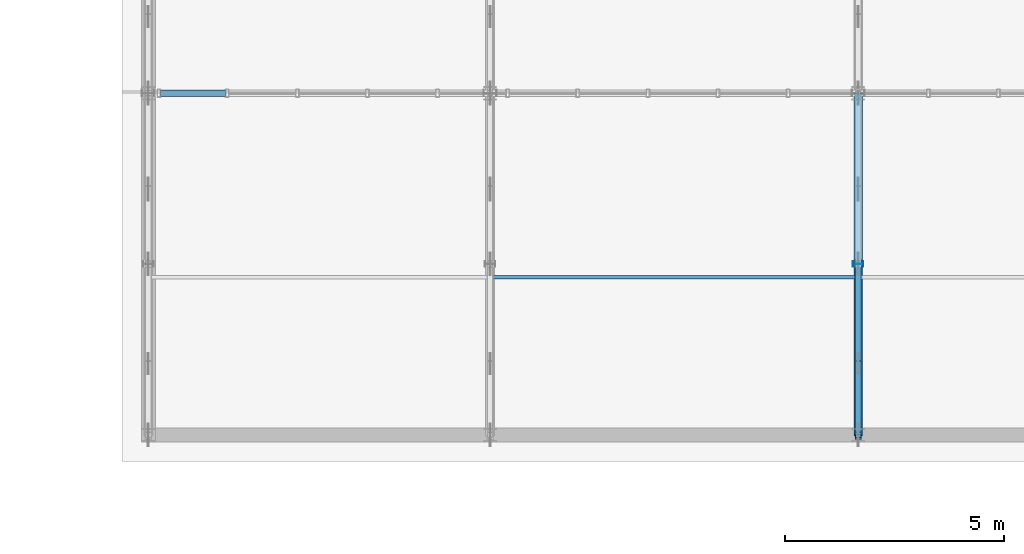
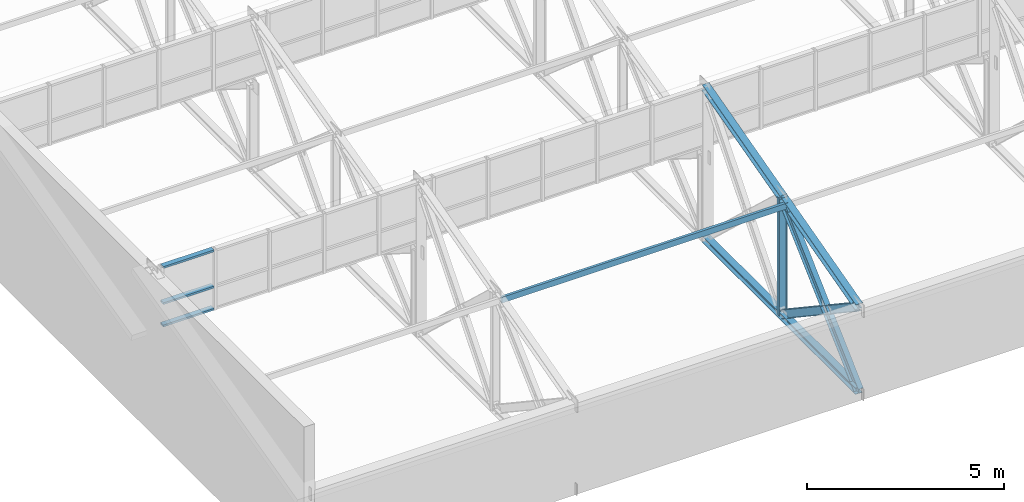
# One storey, part 67 of 123: 10 members, 1 element without a shape of its own.
"""IFC4 building model written with IfcOpenShell, lengths in metres."""

from ifc_helpers import new_model, si_unit, direction, frame, origin, origin_2d, place, context, subcontext, project, spatial, hollow_rectangle, i_section, extrude, material, layer, layer_set, material_profile, profile_set, type_object, element, aggregate, save


model = new_model("IFC4")

# Units and contexts
model_context = context("Model", 3, precision=1e-05, world=origin(), true_north=direction((0.0, 1.0)))
body_context = subcontext(model_context, "Body", "Model", "MODEL_VIEW")
ifc_project = project(units=[si_unit("LENGTHUNIT", "METRE"), si_unit("AREAUNIT", "SQUARE_METRE"), si_unit("VOLUMEUNIT", "CUBIC_METRE"), si_unit("PLANEANGLEUNIT", "RADIAN"), si_unit("MASSUNIT", "GRAM", prefix="KILO")], contexts=[model_context])

# Site, building, storey
site_placement = place(None, origin())
site = spatial("IfcSite", under=ifc_project, at=site_placement, CompositionType="ELEMENT")
building_placement = place(site_placement, origin())
building = spatial("IfcBuilding", under=site, at=building_placement, Name="Zayran Congress Hotel", CompositionType="ELEMENT")
storey_placement = place(building_placement, frame((0.0, 0.0, 15.0)))
storey = spatial("IfcBuildingStorey", under=building, at=storey_placement, Name="L03", CompositionType="ELEMENT", Elevation=15.0)

# Members
ifc_material_1 = material(Name="Steel S355", Category="steel")
ifc_material_profile_1 = material_profile(ifc_material_1, i_section(OverallWidth=0.199951171875, OverallDepth=0.199951171875, WebThickness=0.009033203125, FlangeThickness=0.014892578125, at=origin_2d()), Name="HEB 200")
ifc_profile_set_1 = profile_set([ifc_material_profile_1], Name="Steel S355")
member_type_1 = type_object("IfcMemberType", Name="TP-TR-CH2", PredefinedType="CHORD", material=ifc_profile_set_1)
member_1_placement = place(storey_placement, frame((168.0, 9.39990234375, 0.0), z_axis=(0.0, 1.0, 0.0), x_axis=(-1.0, 0.0, 0.0)))
element("IfcMember", 1, at=member_1_placement, inside=storey, type_object=member_type_1, Name="Sawtooth Truss Bottom Chord 702", PredefinedType="CHORD", context=body_context, shape_type="SweptSolid", body=[
    extrude(i_section(OverallWidth=0.199951171875, OverallDepth=0.199951171875, WebThickness=0.009033203125, FlangeThickness=0.014892578125, at=origin_2d()), origin(), (0.0, 0.0, 1.0), 7.800048828125),
])
member_2_placement = place(storey_placement, frame((168.0, 9.39990234375, 2.60009765625), z_axis=(0.0, 0.96579502769, 0.259306699663), x_axis=(-1.0, 0.0, 0.0)))
element("IfcMember", 2, at=member_2_placement, inside=storey, type_object=member_type_1, Name="Sawtooth Truss Top Chord 703", PredefinedType="CHORD", context=body_context, shape_type="SweptSolid", body=[
    extrude(i_section(OverallWidth=0.199951171875, OverallDepth=0.199951171875, WebThickness=0.009033203125, FlangeThickness=0.014892578125, at=origin_2d()), origin(), (0.0, 0.0, 1.0), 8.076416015625),
])
ifc_material_profile_2 = material_profile(ifc_material_1, i_section(OverallWidth=0.14990234375, OverallDepth=0.300048828125, WebThickness=0.007080078125, FlangeThickness=0.0107421875, at=origin_2d()), Name="IPE 300")
ifc_profile_set_2 = profile_set([ifc_material_profile_2], Name="Steel S355")
member_type_2 = type_object("IfcMemberType", Name="TP-TR-BR1", PredefinedType="BRACE", material=ifc_profile_set_2)
member_3_placement = place(storey_placement, frame((168.0, 9.39990234375, 0.0), z_axis=(0.0, 0.730393544503, 0.68302655157), x_axis=(-1.0, 0.0, 0.0)))
element("IfcMember", 3, at=member_3_placement, inside=storey, type_object=member_type_2, Name="Sawtooth Truss Diagonal 704", PredefinedType="BRACE", context=body_context, shape_type="SweptSolid", body=[
    extrude(i_section(OverallWidth=0.14990234375, OverallDepth=0.300048828125, WebThickness=0.007080078125, FlangeThickness=0.0107421875, at=origin_2d()), origin(), (0.0, 0.0, 1.0), 5.33984375),
])
ifc_material_profile_3 = material_profile(ifc_material_1, i_section(OverallWidth=0.1201171875, OverallDepth=0.239990234375, WebThickness=0.006103515625, FlangeThickness=0.009765625, at=origin_2d()), Name="IPE 240")
ifc_profile_set_3 = profile_set([ifc_material_profile_3], Name="Steel S355")
member_type_3 = type_object("IfcMemberType", Name="TP-TR-BR2", PredefinedType="BRACE", material=ifc_profile_set_3)
member_4_placement = place(storey_placement, frame((168.0, 9.39990234375, 2.60009765625), z_axis=(0.0, 0.831992082034, -0.554787504755), x_axis=(-1.0, 0.0, 0.0)))
element("IfcMember", 4, at=member_4_placement, inside=storey, type_object=member_type_3, Name="Sawtooth Truss Counter Diagonal Upper 705", PredefinedType="BRACE", context=body_context, shape_type="SweptSolid", body=[
    extrude(i_section(OverallWidth=0.1201171875, OverallDepth=0.239990234375, WebThickness=0.006103515625, FlangeThickness=0.009765625, at=origin_2d()), origin(), (0.0, 0.0, 1.0), 1.935791015625),
])
member_5_placement = place(storey_placement, frame((168.0, 11.03564453125, 1.509521484375), z_axis=(0.0, 0.832064095683, -0.55467949365), x_axis=(-1.0, 0.0, 0.0)))
element("IfcMember", 5, at=member_5_placement, inside=storey, type_object=member_type_3, Name="Sawtooth Truss Counter Diagonal Lower 145", PredefinedType="BRACE", context=body_context, shape_type="SweptSolid", body=[
    extrude(i_section(OverallWidth=0.1201171875, OverallDepth=0.239990234375, WebThickness=0.006103515625, FlangeThickness=0.009765625, at=origin_2d()), origin(), (0.0, 0.0, 1.0), 2.721435546875),
])
member_6_placement = place(storey_placement, frame((168.0, 13.300048828125, 0.0), z_axis=(0.0, 0.0, 1.0), x_axis=(0.0, 1.0, 0.0)))
element("IfcMember", 6, at=member_6_placement, inside=storey, type_object=member_type_3, Name="TRV-01 Sawtooth Truss Strut", PredefinedType="BRACE", context=body_context, shape_type="SweptSolid", body=[
    extrude(i_section(OverallWidth=0.1201171875, OverallDepth=0.239990234375, WebThickness=0.006103515625, FlangeThickness=0.009765625, at=origin_2d()), origin(), (0.0, 0.0, 1.0), 3.647216796875),
])
ifc_material_profile_4 = material_profile(ifc_material_1, hollow_rectangle(XDim=0.080078125, YDim=0.179931640625, WallThickness=0.0048828125, at=origin_2d()), Name="RHS 180x80x5")
ifc_profile_set_4 = profile_set([ifc_material_profile_4], Name="Steel S355")
member_type_4 = type_object("IfcMemberType", Name="TP-PR-02", PredefinedType="PURLIN", material=ifc_profile_set_4)
member_7_placement = place(storey_placement, frame((159.60009765625, 13.0, 3.572265625), z_axis=(1.0, 0.0, 0.0), x_axis=(0.0, 1.0, 0.0)))
element("IfcMember", 7, at=member_7_placement, inside=storey, type_object=member_type_4, Name="MEM-PR-V3-0202", PredefinedType="PURLIN", context=body_context, shape_type="SweptSolid", body=[
    extrude(hollow_rectangle(XDim=0.080078125, YDim=0.179931640625, WallThickness=0.0048828125, at=origin_2d()), origin(), (0.0, 0.0, 1.0), 8.39990234375),
])

# Curtain wall, members
ifc_material_2 = material(Name="Anodised aluminium and low-E insulated glass", Category="aluminium")
ifc_layer = layer(ifc_material_2, 0.179931640625)
ifc_layer_set = layer_set([ifc_layer], Name="Anodised aluminium and low-E insulated glass")
curtain_wall_type = type_object("IfcCurtainWallType", Name="CW-V3SAW-L03-CW-V31-32000-1870", PredefinedType="USERDEFINED", material=ifc_layer_set)
curtain_wall_placement = place(storey_placement, origin())
curtain_wall = element("IfcCurtainWall", 8, at=curtain_wall_placement, inside=storey, type_object=curtain_wall_type, Name="CW-V3SAW-1", ObjectType="CURTAIN WALL", PredefinedType="USERDEFINED")
ifc_material_3 = material(Name="Anodised aluminium framing", Category="aluminium")
ifc_material_profile_5 = material_profile(ifc_material_3, hollow_rectangle(XDim=0.06005859375, YDim=0.14990234375, WallThickness=0.00390625, at=origin_2d()), Name="RHS 150x60x4")
ifc_profile_set_5 = profile_set([ifc_material_profile_5], Name="Anodised aluminium framing")
member_type_5 = type_object("IfcMemberType", Name="TP-CWT-01", PredefinedType="USERDEFINED", material=ifc_profile_set_5)
member_8_placement = place(storey_placement, frame((153.56005859375, 17.199951171875, 2.8798828125), z_axis=(-1.0, 0.0, 0.0), x_axis=(0.0, 0.0, 1.0)))
member_8 = element("IfcMember", 9, at=member_8_placement, type_object=member_type_5, Name="CW-V3SAW-1-T19-0", ObjectType="TRANSOM", PredefinedType="USERDEFINED", context=body_context, shape_type="SweptSolid", body=[
    extrude(hollow_rectangle(XDim=0.06005859375, YDim=0.14990234375, WallThickness=0.00390625, at=origin_2d()), origin(), (0.0, 0.0, 1.0), 1.47998046875),
])
member_9_placement = place(storey_placement, frame((153.56005859375, 17.199951171875, 3.570068359375), z_axis=(-1.0, 0.0, 0.0), x_axis=(0.0, 0.0, 1.0)))
member_9 = element("IfcMember", 10, at=member_9_placement, type_object=member_type_5, Name="CW-V3SAW-1-T19-1", ObjectType="TRANSOM", PredefinedType="USERDEFINED", context=body_context, shape_type="SweptSolid", body=[
    extrude(hollow_rectangle(XDim=0.06005859375, YDim=0.14990234375, WallThickness=0.00390625, at=origin_2d()), origin(), (0.0, 0.0, 1.0), 1.47998046875),
])
member_10_placement = place(storey_placement, frame((153.56005859375, 17.199951171875, 4.68994140625), z_axis=(-1.0, 0.0, 0.0), x_axis=(0.0, 0.0, 1.0)))
member_10 = element("IfcMember", 11, at=member_10_placement, type_object=member_type_5, Name="CW-V3SAW-1-T19-2", ObjectType="TRANSOM", PredefinedType="USERDEFINED", context=body_context, shape_type="SweptSolid", body=[
    extrude(hollow_rectangle(XDim=0.06005859375, YDim=0.14990234375, WallThickness=0.00390625, at=origin_2d()), origin(), (0.0, 0.0, 1.0), 1.47998046875),
])
aggregate(curtain_wall, [member_8, member_9, member_10])

save(model, "model.ifc")
